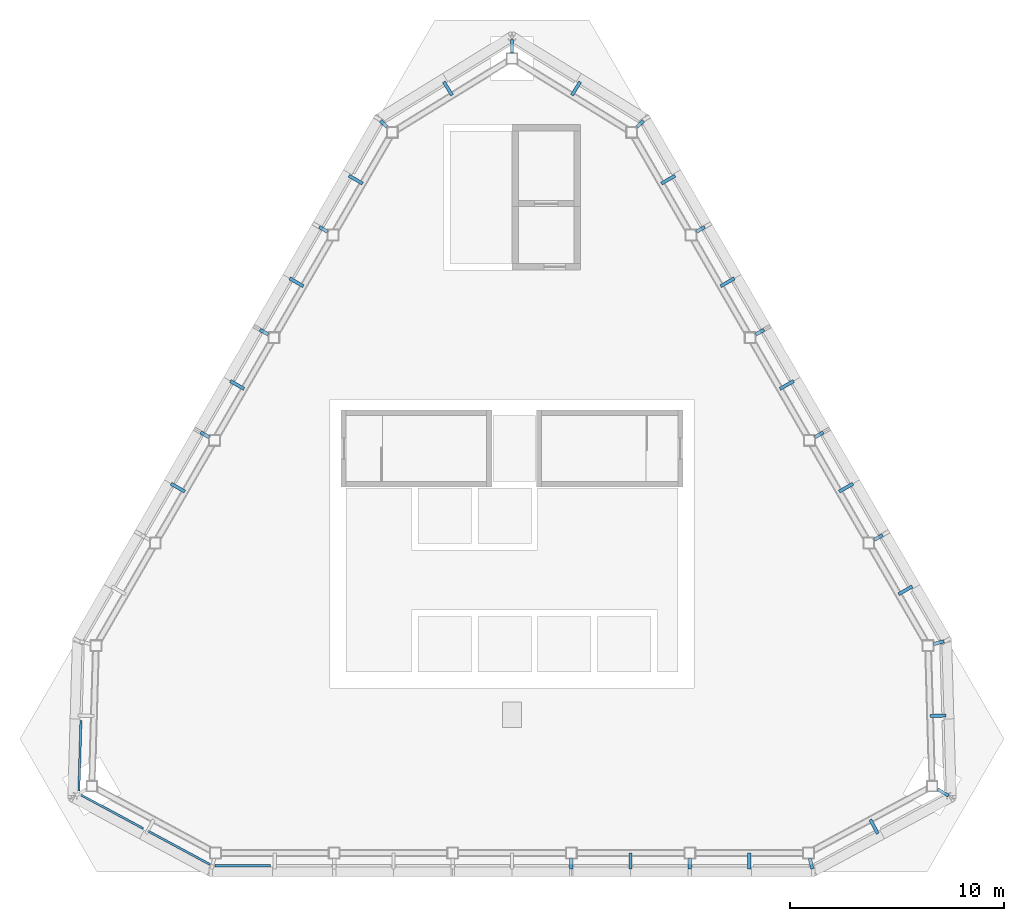
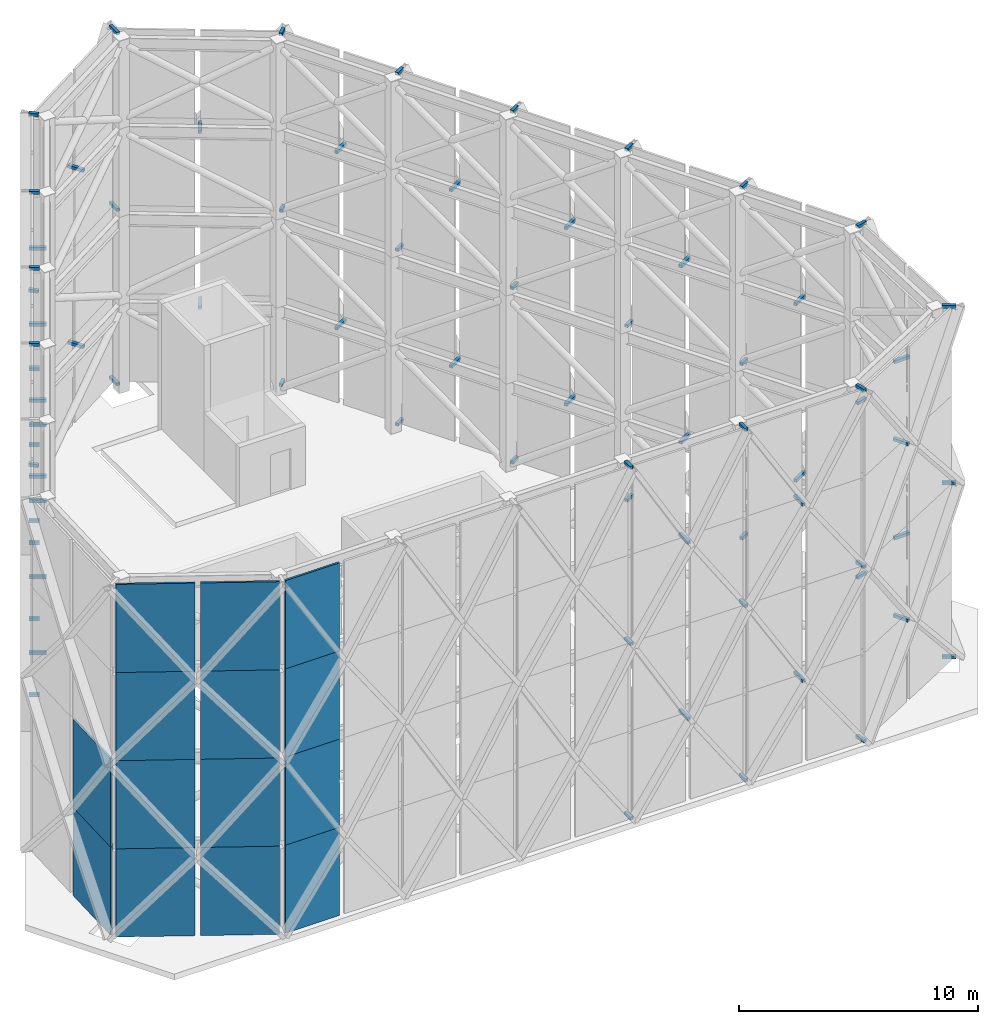
# One storey, part 7 of 12: 75 members, 14 plates.
"""IFC4 building model written with IfcOpenShell, lengths in metres."""

from ifc_helpers import new_model, si_unit, direction, frame, origin, origin_2d, place, context, subcontext, project, spatial, polyline, hollow_rectangle, outline, extrude, material, layer, layer_set, material_profile, profile_set, type_object, element, save


model = new_model("IFC4")

# Units and contexts
model_context = context("Model", 3, precision=1e-05, world=origin(), true_north=direction((0.0, 1.0)))
body_context = subcontext(model_context, "Body", "Model", "MODEL_VIEW")
ifc_project = project(units=[si_unit("LENGTHUNIT", "METRE"), si_unit("AREAUNIT", "SQUARE_METRE"), si_unit("VOLUMEUNIT", "CUBIC_METRE"), si_unit("PLANEANGLEUNIT", "RADIAN"), si_unit("MASSUNIT", "GRAM", prefix="KILO")], contexts=[model_context])

# Site, building, storey
site_placement = place(None, origin())
site = spatial("IfcSite", under=ifc_project, at=site_placement, CompositionType="ELEMENT")
building_placement = place(site_placement, origin())
building = spatial("IfcBuilding", under=site, at=building_placement, Name="Firuza Gate Tower and Library", CompositionType="ELEMENT")
storey_placement = place(building_placement, frame((0.0, 0.0, 339.60009765625)))
storey = spatial("IfcBuildingStorey", under=building, at=storey_placement, Name="Roof", CompositionType="ELEMENT", Elevation=339.60009765625)

# Members
ifc_material_1 = material(Name="Steel S355", Category="steel")
ifc_material_profile = material_profile(ifc_material_1, hollow_rectangle(XDim=0.15234375, YDim=0.15234375, WallThickness=0.0087890625, at=origin_2d()))
ifc_profile_set = profile_set([ifc_material_profile], Name="Steel S355")
member_type = type_object("IfcMemberType", Name="Crown lattice node stub HSS152x152x9.5", PredefinedType="BRACE", material=ifc_profile_set)
for number, where, z_axis, x_axis, name in (
    (1, (77.771484375, 60.28857421875, 0.099853515625), (0.0, -1.0, 0.0), (1.0, 0.0, 0.0), "Crown lattice node stub 6.0"),
    (2, (77.771484375, 60.28857421875, 9.0), (0.0, -1.0, 0.0), (1.0, 0.0, 0.0), "Crown lattice node stub 6.2"),
    (3, (77.771484375, 60.28857421875, 18.0), (0.0, -1.0, 0.0), (1.0, 0.0, 0.0), "Crown lattice node stub 6.4"),
):
    element("IfcMember", number, at=place(storey_placement, frame(where, z_axis=z_axis, x_axis=x_axis)), inside=storey, type_object=member_type, Name=name, PredefinedType="BRACE", context=body_context, shape_type="SweptSolid", body=[
        extrude(hollow_rectangle(XDim=0.15234375, YDim=0.15234375, WallThickness=0.0087890625, at=origin_2d()), origin(), (0.0, 0.0, 1.0), 0.49609375),
    ])
for number, where, z_axis, x_axis, name in (
    (4, (80.54296875, 60.536376953125, 4.198486328125), (0.0, -1.0, 0.0), (1.0, 0.0, 0.0), "Crown lattice node stub 6.1m"),
    (5, (80.54296875, 60.536376953125, 13.198486328125), (0.0, -1.0, 0.0), (1.0, 0.0, 0.0), "Crown lattice node stub 6.3m"),
):
    element("IfcMember", number, at=place(storey_placement, frame(where, z_axis=z_axis, x_axis=x_axis)), inside=storey, type_object=member_type, Name=name, PredefinedType="BRACE", context=body_context, shape_type="SweptSolid", body=[
        extrude(hollow_rectangle(XDim=0.15234375, YDim=0.15234375, WallThickness=0.0087890625, at=origin_2d()), origin(), (0.0, 0.0, 1.0), 0.743896484375),
    ])
for number, where, z_axis, x_axis, name in (
    (6, (83.314208984375, 60.28857421875, 0.099853515625), (0.0, -1.0, 0.0), (1.0, 0.0, 0.0), "Crown lattice node stub 7.0"),
    (7, (83.314208984375, 60.28857421875, 9.0), (0.0, -1.0, 0.0), (1.0, 0.0, 0.0), "Crown lattice node stub 7.2"),
    (8, (83.314208984375, 60.28857421875, 18.0), (0.0, -1.0, 0.0), (1.0, 0.0, 0.0), "Crown lattice node stub 7.4"),
):
    element("IfcMember", number, at=place(storey_placement, frame(where, z_axis=z_axis, x_axis=x_axis)), inside=storey, type_object=member_type, Name=name, PredefinedType="BRACE", context=body_context, shape_type="SweptSolid", body=[
        extrude(hollow_rectangle(XDim=0.15234375, YDim=0.15234375, WallThickness=0.0087890625, at=origin_2d()), origin(), (0.0, 0.0, 1.0), 0.49609375),
    ])
for number, where, z_axis, x_axis, name in (
    (9, (86.085693359375, 60.536376953125, 4.198486328125), (0.0, -1.0, 0.0), (1.0, 0.0, 0.0), "Crown lattice node stub 7.1m"),
    (10, (86.085693359375, 60.536376953125, 13.198486328125), (0.0, -1.0, 0.0), (1.0, 0.0, 0.0), "Crown lattice node stub 7.3m"),
):
    element("IfcMember", number, at=place(storey_placement, frame(where, z_axis=z_axis, x_axis=x_axis)), inside=storey, type_object=member_type, Name=name, PredefinedType="BRACE", context=body_context, shape_type="SweptSolid", body=[
        extrude(hollow_rectangle(XDim=0.15234375, YDim=0.15234375, WallThickness=0.0087890625, at=origin_2d()), origin(), (0.0, 0.0, 1.0), 0.743896484375),
    ])
for number, where, z_axis, x_axis, name in (
    (11, (88.921142578125, 60.28857421875, 0.099853515625), (0.24478040972, -0.969578542985, 0.0), (0.969578542985, 0.24478040972, 0.0), "Crown lattice node stub 8.0"),
    (12, (88.921142578125, 60.28857421875, 9.0), (0.24478040972, -0.969578542985, 0.0), (0.969578542985, 0.24478040972, 0.0), "Crown lattice node stub 8.2"),
    (13, (88.921142578125, 60.28857421875, 18.0), (0.24478040972, -0.969578542985, 0.0), (0.969578542985, 0.24478040972, 0.0), "Crown lattice node stub 8.4"),
):
    element("IfcMember", number, at=place(storey_placement, frame(where, z_axis=z_axis, x_axis=x_axis)), inside=storey, type_object=member_type, Name=name, PredefinedType="BRACE", context=body_context, shape_type="SweptSolid", body=[
        extrude(hollow_rectangle(XDim=0.15234375, YDim=0.15234375, WallThickness=0.0087890625, at=origin_2d()), origin(), (0.0, 0.0, 1.0), 0.51171875),
    ])
for number, where, z_axis, x_axis, name in (
    (14, (91.751953125, 62.095947265625, 4.198486328125), (0.474569465347, -0.880218053984, 0.0), (0.880218053984, 0.474569465347, 0.0), "Crown lattice node stub 8.1m"),
    (15, (91.751953125, 62.095947265625, 13.198486328125), (0.474569465347, -0.880218053984, 0.0), (0.880218053984, 0.474569465347, 0.0), "Crown lattice node stub 8.3m"),
):
    element("IfcMember", number, at=place(storey_placement, frame(where, z_axis=z_axis, x_axis=x_axis)), inside=storey, type_object=member_type, Name=name, PredefinedType="BRACE", context=body_context, shape_type="SweptSolid", body=[
        extrude(hollow_rectangle(XDim=0.15234375, YDim=0.15234375, WallThickness=0.0087890625, at=origin_2d()), origin(), (0.0, 0.0, 1.0), 0.743896484375),
    ])
for number, where, z_axis, x_axis, name in (
    (16, (94.895263671875, 63.513427734375, 0.099853515625), (0.865984991198, -0.500069990121, 0.0), (0.500069990121, 0.865984991198, 0.0), "Crown lattice node stub 9.0"),
    (17, (94.895263671875, 63.513427734375, 9.0), (0.865984991198, -0.500069990121, 0.0), (0.500069990121, 0.865984991198, 0.0), "Crown lattice node stub 9.2"),
    (18, (94.895263671875, 63.513427734375, 18.0), (0.865984991198, -0.500069990121, 0.0), (0.500069990121, 0.865984991198, 0.0), "Crown lattice node stub 9.4"),
):
    element("IfcMember", number, at=place(storey_placement, frame(where, z_axis=z_axis, x_axis=x_axis)), inside=storey, type_object=member_type, Name=name, PredefinedType="BRACE", context=body_context, shape_type="SweptSolid", body=[
        extrude(hollow_rectangle(XDim=0.15234375, YDim=0.15234375, WallThickness=0.0087890625, at=origin_2d()), origin(), (0.0, 0.0, 1.0), 0.587890625),
    ])
for number, where, z_axis, x_axis, name in (
    (19, (94.55126953125, 66.9443359375, 4.198486328125), (0.999573408448, 0.029206182978, 0.0), (-0.029206182978, 0.999573408448, 0.0), "Crown lattice node stub 9.1m"),
    (20, (94.55126953125, 66.9443359375, 13.198486328125), (0.999573408448, 0.029206182978, 0.0), (-0.029206182978, 0.999573408448, 0.0), "Crown lattice node stub 9.3m"),
):
    element("IfcMember", number, at=place(storey_placement, frame(where, z_axis=z_axis, x_axis=x_axis)), inside=storey, type_object=member_type, Name=name, PredefinedType="BRACE", context=body_context, shape_type="SweptSolid", body=[
        extrude(hollow_rectangle(XDim=0.15234375, YDim=0.15234375, WallThickness=0.0087890625, at=origin_2d()), origin(), (0.0, 0.0, 1.0), 0.743896484375),
    ])
for number, where, z_axis, x_axis, name in (
    (21, (94.703125, 70.30029296875, 0.099853515625), (0.96211834795, 0.272632141426, 0.0), (-0.272632141426, 0.96211834795, 0.0), "Crown lattice node stub 10.0"),
    (22, (94.703125, 70.30029296875, 9.0), (0.96211834795, 0.272632141426, 0.0), (-0.272632141426, 0.96211834795, 0.0), "Crown lattice node stub 10.2"),
    (23, (94.703125, 70.30029296875, 18.0), (0.96211834795, 0.272632141426, 0.0), (-0.272632141426, 0.96211834795, 0.0), "Crown lattice node stub 10.4"),
):
    element("IfcMember", number, at=place(storey_placement, frame(where, z_axis=z_axis, x_axis=x_axis)), inside=storey, type_object=member_type, Name=name, PredefinedType="BRACE", context=body_context, shape_type="SweptSolid", body=[
        extrude(hollow_rectangle(XDim=0.15234375, YDim=0.15234375, WallThickness=0.0087890625, at=origin_2d()), origin(), (0.0, 0.0, 1.0), 0.509521484375),
    ])
for number, where, z_axis, x_axis, name in (
    (24, (93.068603515625, 72.63134765625, 4.198486328125), (0.866114546653, 0.499845568227, 0.0), (-0.499845568227, 0.866114546653, 0.0), "Crown lattice node stub 10.1m"),
    (25, (93.068603515625, 72.63134765625, 13.198486328125), (0.866114546653, 0.499845568227, 0.0), (-0.499845568227, 0.866114546653, 0.0), "Crown lattice node stub 10.3m"),
):
    element("IfcMember", number, at=place(storey_placement, frame(where, z_axis=z_axis, x_axis=x_axis)), inside=storey, type_object=member_type, Name=name, PredefinedType="BRACE", context=body_context, shape_type="SweptSolid", body=[
        extrude(hollow_rectangle(XDim=0.15234375, YDim=0.15234375, WallThickness=0.0087890625, at=origin_2d()), origin(), (0.0, 0.0, 1.0), 0.743896484375),
    ])
for number, where, z_axis, x_axis, name in (
    (26, (91.931640625, 75.175048828125, 0.099853515625), (0.86609656662, 0.499876722092, 0.0), (-0.499876722092, 0.86609656662, 0.0), "Crown lattice node stub 11.0"),
    (27, (91.931640625, 75.175048828125, 9.0), (0.86609656662, 0.499876722092, 0.0), (-0.499876722092, 0.86609656662, 0.0), "Crown lattice node stub 11.2"),
    (28, (91.931640625, 75.175048828125, 18.0), (0.86609656662, 0.499876722092, 0.0), (-0.499876722092, 0.86609656662, 0.0), "Crown lattice node stub 11.4"),
):
    element("IfcMember", number, at=place(storey_placement, frame(where, z_axis=z_axis, x_axis=x_axis)), inside=storey, type_object=member_type, Name=name, PredefinedType="BRACE", context=body_context, shape_type="SweptSolid", body=[
        extrude(hollow_rectangle(XDim=0.15234375, YDim=0.15234375, WallThickness=0.0087890625, at=origin_2d()), origin(), (0.0, 0.0, 1.0), 0.45654296875),
    ])
for number, where, z_axis, x_axis, name in (
    (29, (90.297119140625, 77.431396484375, 4.198486328125), (0.865972450346, 0.500091706831, 0.0), (-0.500091706831, 0.865972450346, 0.0), "Crown lattice node stub 11.1m"),
    (30, (90.297119140625, 77.431396484375, 13.198486328125), (0.865972450346, 0.500091706831, 0.0), (-0.500091706831, 0.865972450346, 0.0), "Crown lattice node stub 11.3m"),
):
    element("IfcMember", number, at=place(storey_placement, frame(where, z_axis=z_axis, x_axis=x_axis)), inside=storey, type_object=member_type, Name=name, PredefinedType="BRACE", context=body_context, shape_type="SweptSolid", body=[
        extrude(hollow_rectangle(XDim=0.15234375, YDim=0.15234375, WallThickness=0.0087890625, at=origin_2d()), origin(), (0.0, 0.0, 1.0), 0.743896484375),
    ])
for number, where, z_axis, x_axis, name in (
    (31, (89.160400390625, 79.975341796875, 0.099853515625), (0.86609656662, 0.499876722092, 0.0), (-0.499876722092, 0.86609656662, 0.0), "Crown lattice node stub 12.0"),
    (32, (89.160400390625, 79.975341796875, 9.0), (0.86609656662, 0.499876722092, 0.0), (-0.499876722092, 0.86609656662, 0.0), "Crown lattice node stub 12.2"),
    (33, (89.160400390625, 79.975341796875, 18.0), (0.86609656662, 0.499876722092, 0.0), (-0.499876722092, 0.86609656662, 0.0), "Crown lattice node stub 12.4"),
):
    element("IfcMember", number, at=place(storey_placement, frame(where, z_axis=z_axis, x_axis=x_axis)), inside=storey, type_object=member_type, Name=name, PredefinedType="BRACE", context=body_context, shape_type="SweptSolid", body=[
        extrude(hollow_rectangle(XDim=0.15234375, YDim=0.15234375, WallThickness=0.0087890625, at=origin_2d()), origin(), (0.0, 0.0, 1.0), 0.45654296875),
    ])
for number, where, z_axis, x_axis, name in (
    (34, (87.52587890625, 82.231689453125, 4.198486328125), (0.865972450346, 0.500091706831, 0.0), (-0.500091706831, 0.865972450346, 0.0), "Crown lattice node stub 12.1m"),
    (35, (87.52587890625, 82.231689453125, 13.198486328125), (0.865972450346, 0.500091706831, 0.0), (-0.500091706831, 0.865972450346, 0.0), "Crown lattice node stub 12.3m"),
):
    element("IfcMember", number, at=place(storey_placement, frame(where, z_axis=z_axis, x_axis=x_axis)), inside=storey, type_object=member_type, Name=name, PredefinedType="BRACE", context=body_context, shape_type="SweptSolid", body=[
        extrude(hollow_rectangle(XDim=0.15234375, YDim=0.15234375, WallThickness=0.0087890625, at=origin_2d()), origin(), (0.0, 0.0, 1.0), 0.743896484375),
    ])
for number, where, z_axis, x_axis, name in (
    (36, (86.388916015625, 84.775634765625, 0.099853515625), (0.86609656662, 0.499876722092, 0.0), (-0.499876722092, 0.86609656662, 0.0), "Crown lattice node stub 13.0"),
    (37, (86.388916015625, 84.775634765625, 9.0), (0.86609656662, 0.499876722092, 0.0), (-0.499876722092, 0.86609656662, 0.0), "Crown lattice node stub 13.2"),
    (38, (86.388916015625, 84.775634765625, 18.0), (0.86609656662, 0.499876722092, 0.0), (-0.499876722092, 0.86609656662, 0.0), "Crown lattice node stub 13.4"),
):
    element("IfcMember", number, at=place(storey_placement, frame(where, z_axis=z_axis, x_axis=x_axis)), inside=storey, type_object=member_type, Name=name, PredefinedType="BRACE", context=body_context, shape_type="SweptSolid", body=[
        extrude(hollow_rectangle(XDim=0.15234375, YDim=0.15234375, WallThickness=0.0087890625, at=origin_2d()), origin(), (0.0, 0.0, 1.0), 0.45654296875),
    ])
for number, where, z_axis, x_axis, name in (
    (39, (84.75439453125, 87.031982421875, 4.198486328125), (0.865972450346, 0.500091706831, 0.0), (-0.500091706831, 0.865972450346, 0.0), "Crown lattice node stub 13.1m"),
    (40, (84.75439453125, 87.031982421875, 13.198486328125), (0.865972450346, 0.500091706831, 0.0), (-0.500091706831, 0.865972450346, 0.0), "Crown lattice node stub 13.3m"),
):
    element("IfcMember", number, at=place(storey_placement, frame(where, z_axis=z_axis, x_axis=x_axis)), inside=storey, type_object=member_type, Name=name, PredefinedType="BRACE", context=body_context, shape_type="SweptSolid", body=[
        extrude(hollow_rectangle(XDim=0.15234375, YDim=0.15234375, WallThickness=0.0087890625, at=origin_2d()), origin(), (0.0, 0.0, 1.0), 0.743896484375),
    ])
for number, where, z_axis, x_axis, name in (
    (41, (83.617431640625, 89.57568359375, 0.099853515625), (0.865865073245, 0.500277597875, 0.0), (-0.500277597875, 0.865865073245, 0.0), "Crown lattice node stub 14.0"),
    (42, (83.617431640625, 89.57568359375, 9.0), (0.865865073245, 0.500277597875, 0.0), (-0.500277597875, 0.865865073245, 0.0), "Crown lattice node stub 14.2"),
    (43, (83.617431640625, 89.57568359375, 18.0), (0.865865073245, 0.500277597875, 0.0), (-0.500277597875, 0.865865073245, 0.0), "Crown lattice node stub 14.4"),
):
    element("IfcMember", number, at=place(storey_placement, frame(where, z_axis=z_axis, x_axis=x_axis)), inside=storey, type_object=member_type, Name=name, PredefinedType="BRACE", context=body_context, shape_type="SweptSolid", body=[
        extrude(hollow_rectangle(XDim=0.15234375, YDim=0.15234375, WallThickness=0.0087890625, at=origin_2d()), origin(), (0.0, 0.0, 1.0), 0.456787109375),
    ])
for number, where, z_axis, x_axis, name in (
    (44, (81.98291015625, 91.832275390625, 4.198486328125), (0.865972450346, 0.500091706831, 0.0), (-0.500091706831, 0.865972450346, 0.0), "Crown lattice node stub 14.1m"),
    (45, (81.98291015625, 91.832275390625, 13.198486328125), (0.865972450346, 0.500091706831, 0.0), (-0.500091706831, 0.865972450346, 0.0), "Crown lattice node stub 14.3m"),
):
    element("IfcMember", number, at=place(storey_placement, frame(where, z_axis=z_axis, x_axis=x_axis)), inside=storey, type_object=member_type, Name=name, PredefinedType="BRACE", context=body_context, shape_type="SweptSolid", body=[
        extrude(hollow_rectangle(XDim=0.15234375, YDim=0.15234375, WallThickness=0.0087890625, at=origin_2d()), origin(), (0.0, 0.0, 1.0), 0.743896484375),
    ])
for number, where, z_axis, x_axis, name in (
    (46, (80.845947265625, 94.47607421875, 0.099853515625), (0.71750370312, 0.696554689891, 0.0), (-0.696554689891, 0.71750370312, 0.0), "Crown lattice node stub 15.0"),
    (47, (80.845947265625, 94.47607421875, 9.0), (0.71750370312, 0.696554689891, 0.0), (-0.696554689891, 0.71750370312, 0.0), "Crown lattice node stub 15.2"),
    (48, (80.845947265625, 94.47607421875, 18.0), (0.71750370312, 0.696554689891, 0.0), (-0.696554689891, 0.71750370312, 0.0), "Crown lattice node stub 15.4"),
):
    element("IfcMember", number, at=place(storey_placement, frame(where, z_axis=z_axis, x_axis=x_axis)), inside=storey, type_object=member_type, Name=name, PredefinedType="BRACE", context=body_context, shape_type="SweptSolid", body=[
        extrude(hollow_rectangle(XDim=0.15234375, YDim=0.15234375, WallThickness=0.0087890625, at=origin_2d()), origin(), (0.0, 0.0, 1.0), 0.41943359375),
    ])
for number, where, z_axis, x_axis, name in (
    (49, (77.799072265625, 95.959716796875, 4.198486328125), (0.525360136902, 0.850879971885, 0.0), (-0.850879971885, 0.525360136902, 0.0), "Crown lattice node stub 15.1m"),
    (50, (77.799072265625, 95.959716796875, 13.198486328125), (0.525360136902, 0.850879971885, 0.0), (-0.850879971885, 0.525360136902, 0.0), "Crown lattice node stub 15.3m"),
):
    element("IfcMember", number, at=place(storey_placement, frame(where, z_axis=z_axis, x_axis=x_axis)), inside=storey, type_object=member_type, Name=name, PredefinedType="BRACE", context=body_context, shape_type="SweptSolid", body=[
        extrude(hollow_rectangle(XDim=0.15234375, YDim=0.15234375, WallThickness=0.0087890625, at=origin_2d()), origin(), (0.0, 0.0, 1.0), 0.743896484375),
    ])
for number, where, z_axis, x_axis, name in (
    (51, (75.0, 97.93359375, 0.099853515625), (0.0, 1.0, 0.0), (-1.0, 0.0, 0.0), "Crown lattice node stub 16.0"),
    (52, (75.0, 97.93359375, 9.0), (0.0, 1.0, 0.0), (-1.0, 0.0, 0.0), "Crown lattice node stub 16.2"),
    (53, (75.0, 97.93359375, 18.0), (0.0, 1.0, 0.0), (-1.0, 0.0, 0.0), "Crown lattice node stub 16.4"),
):
    element("IfcMember", number, at=place(storey_placement, frame(where, z_axis=z_axis, x_axis=x_axis)), inside=storey, type_object=member_type, Name=name, PredefinedType="BRACE", context=body_context, shape_type="SweptSolid", body=[
        extrude(hollow_rectangle(XDim=0.15234375, YDim=0.15234375, WallThickness=0.0087890625, at=origin_2d()), origin(), (0.0, 0.0, 1.0), 0.62744140625),
    ])
for number, where, z_axis, x_axis, name in (
    (54, (72.200927734375, 95.959716796875, 4.198486328125), (-0.525360136902, 0.850879971885, 0.0), (-0.850879971885, -0.525360136902, 0.0), "Crown lattice node stub 16.1m"),
    (55, (72.200927734375, 95.959716796875, 13.198486328125), (-0.525360136902, 0.850879971885, 0.0), (-0.850879971885, -0.525360136902, 0.0), "Crown lattice node stub 16.3m"),
):
    element("IfcMember", number, at=place(storey_placement, frame(where, z_axis=z_axis, x_axis=x_axis)), inside=storey, type_object=member_type, Name=name, PredefinedType="BRACE", context=body_context, shape_type="SweptSolid", body=[
        extrude(hollow_rectangle(XDim=0.15234375, YDim=0.15234375, WallThickness=0.0087890625, at=origin_2d()), origin(), (0.0, 0.0, 1.0), 0.743896484375),
    ])
for number, where, z_axis, x_axis, name in (
    (56, (69.154052734375, 94.47607421875, 0.099853515625), (-0.71750370312, 0.696554689891, 0.0), (-0.696554689891, -0.71750370312, 0.0), "Crown lattice node stub 17.0"),
    (57, (69.154052734375, 94.47607421875, 9.0), (-0.71750370312, 0.696554689891, 0.0), (-0.696554689891, -0.71750370312, 0.0), "Crown lattice node stub 17.2"),
    (58, (69.154052734375, 94.47607421875, 18.0), (-0.71750370312, 0.696554689891, 0.0), (-0.696554689891, -0.71750370312, 0.0), "Crown lattice node stub 17.4"),
):
    element("IfcMember", number, at=place(storey_placement, frame(where, z_axis=z_axis, x_axis=x_axis)), inside=storey, type_object=member_type, Name=name, PredefinedType="BRACE", context=body_context, shape_type="SweptSolid", body=[
        extrude(hollow_rectangle(XDim=0.15234375, YDim=0.15234375, WallThickness=0.0087890625, at=origin_2d()), origin(), (0.0, 0.0, 1.0), 0.41943359375),
    ])
for number, where, z_axis, x_axis, name in (
    (59, (68.01708984375, 91.832275390625, 4.198486328125), (-0.865972450346, 0.500091706831, 0.0), (-0.500091706831, -0.865972450346, 0.0), "Crown lattice node stub 17.1m"),
    (60, (68.01708984375, 91.832275390625, 13.198486328125), (-0.865972450346, 0.500091706831, 0.0), (-0.500091706831, -0.865972450346, 0.0), "Crown lattice node stub 17.3m"),
):
    element("IfcMember", number, at=place(storey_placement, frame(where, z_axis=z_axis, x_axis=x_axis)), inside=storey, type_object=member_type, Name=name, PredefinedType="BRACE", context=body_context, shape_type="SweptSolid", body=[
        extrude(hollow_rectangle(XDim=0.15234375, YDim=0.15234375, WallThickness=0.0087890625, at=origin_2d()), origin(), (0.0, 0.0, 1.0), 0.743896484375),
    ])
for number, where, z_axis, x_axis, name in (
    (61, (66.382568359375, 89.57568359375, 0.099853515625), (-0.865865073245, 0.500277597875, 0.0), (-0.500277597875, -0.865865073245, 0.0), "Crown lattice node stub 18.0"),
    (62, (66.382568359375, 89.57568359375, 9.0), (-0.865865073245, 0.500277597875, 0.0), (-0.500277597875, -0.865865073245, 0.0), "Crown lattice node stub 18.2"),
    (63, (66.382568359375, 89.57568359375, 18.0), (-0.865865073245, 0.500277597875, 0.0), (-0.500277597875, -0.865865073245, 0.0), "Crown lattice node stub 18.4"),
):
    element("IfcMember", number, at=place(storey_placement, frame(where, z_axis=z_axis, x_axis=x_axis)), inside=storey, type_object=member_type, Name=name, PredefinedType="BRACE", context=body_context, shape_type="SweptSolid", body=[
        extrude(hollow_rectangle(XDim=0.15234375, YDim=0.15234375, WallThickness=0.0087890625, at=origin_2d()), origin(), (0.0, 0.0, 1.0), 0.456787109375),
    ])
for number, where, z_axis, x_axis, name in (
    (64, (65.24560546875, 87.031982421875, 4.198486328125), (-0.865972450346, 0.500091706831, 0.0), (-0.500091706831, -0.865972450346, 0.0), "Crown lattice node stub 18.1m"),
    (65, (65.24560546875, 87.031982421875, 13.198486328125), (-0.865972450346, 0.500091706831, 0.0), (-0.500091706831, -0.865972450346, 0.0), "Crown lattice node stub 18.3m"),
):
    element("IfcMember", number, at=place(storey_placement, frame(where, z_axis=z_axis, x_axis=x_axis)), inside=storey, type_object=member_type, Name=name, PredefinedType="BRACE", context=body_context, shape_type="SweptSolid", body=[
        extrude(hollow_rectangle(XDim=0.15234375, YDim=0.15234375, WallThickness=0.0087890625, at=origin_2d()), origin(), (0.0, 0.0, 1.0), 0.743896484375),
    ])
for number, where, z_axis, x_axis, name in (
    (66, (63.611083984375, 84.775634765625, 0.099853515625), (-0.86609656662, 0.499876722092, 0.0), (-0.499876722092, -0.86609656662, 0.0), "Crown lattice node stub 19.0"),
    (67, (63.611083984375, 84.775634765625, 9.0), (-0.86609656662, 0.499876722092, 0.0), (-0.499876722092, -0.86609656662, 0.0), "Crown lattice node stub 19.2"),
    (68, (63.611083984375, 84.775634765625, 18.0), (-0.86609656662, 0.499876722092, 0.0), (-0.499876722092, -0.86609656662, 0.0), "Crown lattice node stub 19.4"),
):
    element("IfcMember", number, at=place(storey_placement, frame(where, z_axis=z_axis, x_axis=x_axis)), inside=storey, type_object=member_type, Name=name, PredefinedType="BRACE", context=body_context, shape_type="SweptSolid", body=[
        extrude(hollow_rectangle(XDim=0.15234375, YDim=0.15234375, WallThickness=0.0087890625, at=origin_2d()), origin(), (0.0, 0.0, 1.0), 0.45654296875),
    ])
for number, where, z_axis, x_axis, name in (
    (69, (62.47412109375, 82.231689453125, 4.198486328125), (-0.865972450346, 0.500091706831, 0.0), (-0.500091706831, -0.865972450346, 0.0), "Crown lattice node stub 19.1m"),
    (70, (62.47412109375, 82.231689453125, 13.198486328125), (-0.865972450346, 0.500091706831, 0.0), (-0.500091706831, -0.865972450346, 0.0), "Crown lattice node stub 19.3m"),
):
    element("IfcMember", number, at=place(storey_placement, frame(where, z_axis=z_axis, x_axis=x_axis)), inside=storey, type_object=member_type, Name=name, PredefinedType="BRACE", context=body_context, shape_type="SweptSolid", body=[
        extrude(hollow_rectangle(XDim=0.15234375, YDim=0.15234375, WallThickness=0.0087890625, at=origin_2d()), origin(), (0.0, 0.0, 1.0), 0.743896484375),
    ])
for number, where, z_axis, x_axis, name in (
    (71, (60.839599609375, 79.975341796875, 0.099853515625), (-0.86609656662, 0.499876722092, 0.0), (-0.499876722092, -0.86609656662, 0.0), "Crown lattice node stub 20.0"),
    (72, (60.839599609375, 79.975341796875, 9.0), (-0.86609656662, 0.499876722092, 0.0), (-0.499876722092, -0.86609656662, 0.0), "Crown lattice node stub 20.2"),
    (73, (60.839599609375, 79.975341796875, 18.0), (-0.86609656662, 0.499876722092, 0.0), (-0.499876722092, -0.86609656662, 0.0), "Crown lattice node stub 20.4"),
):
    element("IfcMember", number, at=place(storey_placement, frame(where, z_axis=z_axis, x_axis=x_axis)), inside=storey, type_object=member_type, Name=name, PredefinedType="BRACE", context=body_context, shape_type="SweptSolid", body=[
        extrude(hollow_rectangle(XDim=0.15234375, YDim=0.15234375, WallThickness=0.0087890625, at=origin_2d()), origin(), (0.0, 0.0, 1.0), 0.45654296875),
    ])
for number, where, z_axis, x_axis, name in (
    (74, (59.702880859375, 77.431396484375, 4.198486328125), (-0.865972450346, 0.500091706831, 0.0), (-0.500091706831, -0.865972450346, 0.0), "Crown lattice node stub 20.1m"),
    (75, (59.702880859375, 77.431396484375, 13.198486328125), (-0.865972450346, 0.500091706831, 0.0), (-0.500091706831, -0.865972450346, 0.0), "Crown lattice node stub 20.3m"),
):
    element("IfcMember", number, at=place(storey_placement, frame(where, z_axis=z_axis, x_axis=x_axis)), inside=storey, type_object=member_type, Name=name, PredefinedType="BRACE", context=body_context, shape_type="SweptSolid", body=[
        extrude(hollow_rectangle(XDim=0.15234375, YDim=0.15234375, WallThickness=0.0087890625, at=origin_2d()), origin(), (0.0, 0.0, 1.0), 0.743896484375),
    ])

# Plates
ifc_material_2 = material(Name="Perforated ceramic tile")
ifc_layer = layer(ifc_material_2, 0.10009765625)
ifc_layer_set = layer_set([ifc_layer], Name="Perforated ceramic SCREEN panel")
plate_type = type_object("IfcPlateType", Name="Perforated ceramic SCREEN panel", PredefinedType="SHEET", material=ifc_layer_set)
plate_1_placement = place(storey_placement, frame((54.79833984375, 66.73388671875, 0.0), z_axis=(-0.99957455628, 0.029166872256, 0.0), x_axis=(-0.029166872256, -0.99957455628, 0.0)))
element("IfcPlate", 76, at=plate_1_placement, inside=storey, type_object=plate_type, Name="SCREEN 1.1.2", PredefinedType="SHEET", context=body_context, shape_type="SweptSolid", body=[
    extrude(outline(polyline([(0.0, 0.0), (3.3063383014908405, 0.0), (3.3063383014908405, 4.5), (0.0, 4.5), (0.0, 0.0)])), origin(), (0.0, 0.0, -1.0), 0.10009765625),
])
for number, where, z_axis, x_axis, name in (
    (77, (54.830078125, 63.206787109375, 0.0), (-0.474500478405, -0.880255244797, 0.0), (0.880255244797, -0.474500478405, 0.0), "SCREEN 1.2.1"),
    (78, (57.95166015625, 61.524169921875, 0.0), (-0.474500478405, -0.880255244797, 0.0), (0.880255244797, -0.474500478405, 0.0), "SCREEN 1.2.2"),
):
    element("IfcPlate", number, at=place(storey_placement, frame(where, z_axis=z_axis, x_axis=x_axis)), inside=storey, type_object=plate_type, Name=name, PredefinedType="SHEET", context=body_context, shape_type="SweptSolid", body=[
        extrude(outline(polyline([(0.0, 0.0), (3.306314171743404, 0.0), (3.306314171743404, 4.5), (0.0, 4.5), (0.0, 0.0)])), origin(), (0.0, 0.0, -1.0), 0.10009765625),
    ])
plate_2_placement = place(storey_placement, frame((61.111328125, 59.892578125, 0.0), z_axis=(0.0, -1.0, 0.0), x_axis=(1.0, 0.0, 0.0)))
element("IfcPlate", 79, at=plate_2_placement, inside=storey, type_object=plate_type, Name="SCREEN 1.3.1", PredefinedType="SHEET", context=body_context, shape_type="SweptSolid", body=[
    extrude(outline(polyline([(0.0, 0.0), (2.607177734375, 0.0), (2.607177734375, 4.5), (0.0, 4.5), (0.0, 0.0)])), origin(), (0.0, 0.0, -1.0), 0.10009765625),
])
plate_3_placement = place(storey_placement, frame((54.79833984375, 66.73388671875, 4.5), z_axis=(-0.99957455628, 0.029166872256, 0.0), x_axis=(-0.029166872256, -0.99957455628, 0.0)))
element("IfcPlate", 80, at=plate_3_placement, inside=storey, type_object=plate_type, Name="SCREEN 2.1.2", PredefinedType="SHEET", context=body_context, shape_type="SweptSolid", body=[
    extrude(outline(polyline([(0.0, 0.0), (3.3063383014908405, 0.0), (3.3063383014908405, 4.5), (0.0, 4.5), (0.0, 0.0)])), origin(), (0.0, 0.0, -1.0), 0.10009765625),
])
for number, where, z_axis, x_axis, name in (
    (81, (54.830078125, 63.206787109375, 4.5), (-0.474500478405, -0.880255244797, 0.0), (0.880255244797, -0.474500478405, 0.0), "SCREEN 2.2.1"),
    (82, (57.95166015625, 61.524169921875, 4.5), (-0.474500478405, -0.880255244797, 0.0), (0.880255244797, -0.474500478405, 0.0), "SCREEN 2.2.2"),
):
    element("IfcPlate", number, at=place(storey_placement, frame(where, z_axis=z_axis, x_axis=x_axis)), inside=storey, type_object=plate_type, Name=name, PredefinedType="SHEET", context=body_context, shape_type="SweptSolid", body=[
        extrude(outline(polyline([(0.0, 0.0), (3.306314171743404, 0.0), (3.306314171743404, 4.5), (0.0, 4.5), (0.0, 0.0)])), origin(), (0.0, 0.0, -1.0), 0.10009765625),
    ])
plate_4_placement = place(storey_placement, frame((61.111328125, 59.892578125, 4.5), z_axis=(0.0, -1.0, 0.0), x_axis=(1.0, 0.0, 0.0)))
element("IfcPlate", 83, at=plate_4_placement, inside=storey, type_object=plate_type, Name="SCREEN 2.3.1", PredefinedType="SHEET", context=body_context, shape_type="SweptSolid", body=[
    extrude(outline(polyline([(0.0, 0.0), (2.607177734375, 0.0), (2.607177734375, 4.5), (0.0, 4.5), (0.0, 0.0)])), origin(), (0.0, 0.0, -1.0), 0.10009765625),
])
for number, where, z_axis, x_axis, name in (
    (84, (54.830078125, 63.206787109375, 9.0), (-0.474500478405, -0.880255244797, 0.0), (0.880255244797, -0.474500478405, 0.0), "SCREEN 3.2.1"),
    (85, (57.95166015625, 61.524169921875, 9.0), (-0.474500478405, -0.880255244797, 0.0), (0.880255244797, -0.474500478405, 0.0), "SCREEN 3.2.2"),
):
    element("IfcPlate", number, at=place(storey_placement, frame(where, z_axis=z_axis, x_axis=x_axis)), inside=storey, type_object=plate_type, Name=name, PredefinedType="SHEET", context=body_context, shape_type="SweptSolid", body=[
        extrude(outline(polyline([(0.0, 0.0), (3.306314171743404, 0.0), (3.306314171743404, 4.5), (0.0, 4.5), (0.0, 0.0)])), origin(), (0.0, 0.0, -1.0), 0.10009765625),
    ])
plate_5_placement = place(storey_placement, frame((61.111328125, 59.892578125, 9.0), z_axis=(0.0, -1.0, 0.0), x_axis=(1.0, 0.0, 0.0)))
element("IfcPlate", 86, at=plate_5_placement, inside=storey, type_object=plate_type, Name="SCREEN 3.3.1", PredefinedType="SHEET", context=body_context, shape_type="SweptSolid", body=[
    extrude(outline(polyline([(0.0, 0.0), (2.607177734375, 0.0), (2.607177734375, 4.5), (0.0, 4.5), (0.0, 0.0)])), origin(), (0.0, 0.0, -1.0), 0.10009765625),
])
for number, where, z_axis, x_axis, name in (
    (87, (54.830078125, 63.206787109375, 13.5), (-0.474500478405, -0.880255244797, 0.0), (0.880255244797, -0.474500478405, 0.0), "SCREEN 4.2.1"),
    (88, (57.95166015625, 61.524169921875, 13.5), (-0.474500478405, -0.880255244797, 0.0), (0.880255244797, -0.474500478405, 0.0), "SCREEN 4.2.2"),
):
    element("IfcPlate", number, at=place(storey_placement, frame(where, z_axis=z_axis, x_axis=x_axis)), inside=storey, type_object=plate_type, Name=name, PredefinedType="SHEET", context=body_context, shape_type="SweptSolid", body=[
        extrude(outline(polyline([(0.0, 0.0), (3.306314171743404, 0.0), (3.306314171743404, 4.5), (0.0, 4.5), (0.0, 0.0)])), origin(), (0.0, 0.0, -1.0), 0.10009765625),
    ])
plate_6_placement = place(storey_placement, frame((61.111328125, 59.892578125, 13.5), z_axis=(0.0, -1.0, 0.0), x_axis=(1.0, 0.0, 0.0)))
element("IfcPlate", 89, at=plate_6_placement, inside=storey, type_object=plate_type, Name="SCREEN 4.3.1", PredefinedType="SHEET", context=body_context, shape_type="SweptSolid", body=[
    extrude(outline(polyline([(0.0, 0.0), (2.607177734375, 0.0), (2.607177734375, 4.5), (0.0, 4.5), (0.0, 0.0)])), origin(), (0.0, 0.0, -1.0), 0.10009765625),
])

save(model, "model.ifc")
